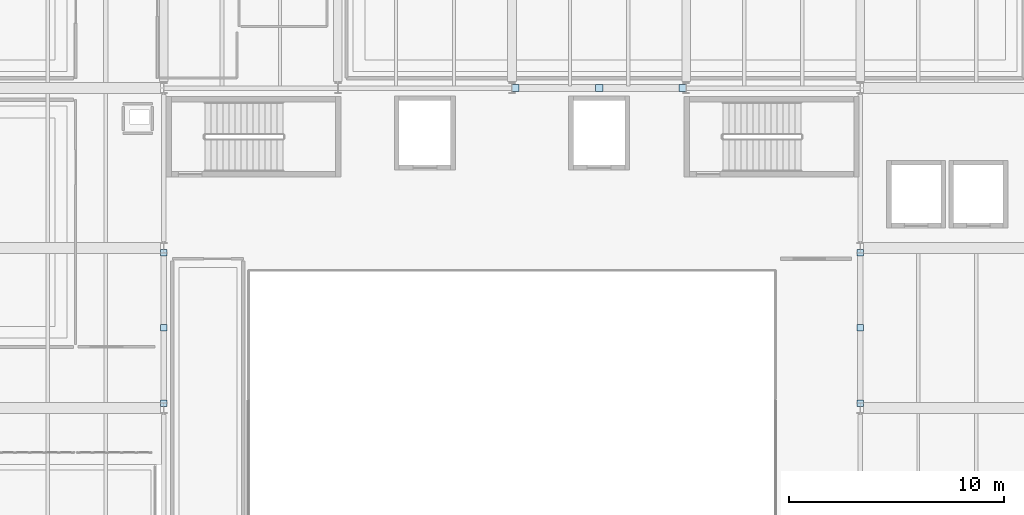
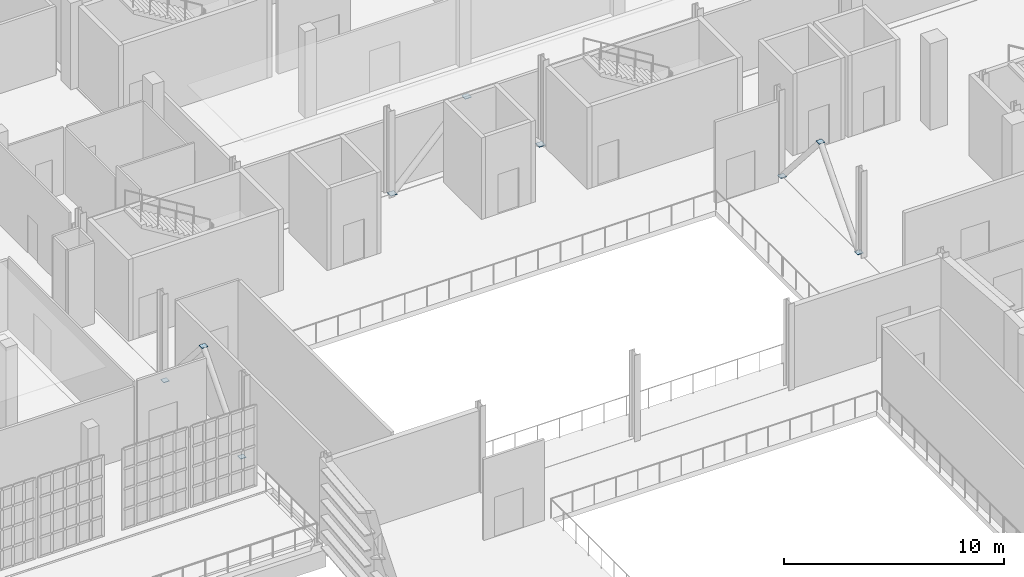
# One storey, part 81 of 104: 9 plates.
"""IFC4 building model written with IfcOpenShell, lengths in metres."""

from ifc_helpers import new_model, si_unit, direction, frame, origin, origin_2d, place, context, subcontext, project, spatial, rectangle, extrude, material, layer, layer_set, type_object, element, save


model = new_model("IFC4")

# Units and contexts
model_context = context("Model", 3, precision=1e-05, world=origin(), true_north=direction((0.0, 1.0)))
body_context = subcontext(model_context, "Body", "Model", "MODEL_VIEW")
ifc_project = project(units=[si_unit("LENGTHUNIT", "METRE"), si_unit("AREAUNIT", "SQUARE_METRE"), si_unit("VOLUMEUNIT", "CUBIC_METRE"), si_unit("PLANEANGLEUNIT", "RADIAN"), si_unit("MASSUNIT", "GRAM", prefix="KILO")], contexts=[model_context])

# Site, building, storey
site_placement = place(None, origin())
site = spatial("IfcSite", under=ifc_project, at=site_placement, CompositionType="ELEMENT")
building_placement = place(site_placement, origin())
building = spatial("IfcBuilding", under=site, at=building_placement, Name="Kaelora Sail Theatre", CompositionType="ELEMENT")
storey_placement = place(building_placement, frame((0.0, 0.0, 5.39990234375)))
storey = spatial("IfcBuildingStorey", under=building, at=storey_placement, Name="L01", CompositionType="ELEMENT", Elevation=5.39990234375)

# Plates
ifc_material = material(Name="Steel S355", Category="steel")
ifc_layer = layer(ifc_material, 0.02587890625)
ifc_layer_set = layer_set([ifc_layer], Name="Steel S355")
plate_type = type_object("IfcPlateType", Name="STR-PL-EP-26", PredefinedType="SHEET", material=ifc_layer_set)
for number, where, z_axis, x_axis, name in (
    (1, (25.800048828125, 68.682373046875, -0.001708984375), (0.0, 0.0, 1.0), (1.0, 0.0, 0.0), "Fly Tower chevron brace L01 WM1 end cap plate A"),
    (2, (25.800048828125, 72.187744140625, 4.02099609375), (0.0, 0.0, 1.0), (1.0, 0.0, 0.0), "Fly Tower chevron brace L01 WM1 end cap plate B"),
    (3, (25.800048828125, 75.677734375, -0.001708984375), (0.0, 0.0, 1.0), (1.0, 0.0, 0.0), "Fly Tower chevron brace L01 WM2 end cap plate A"),
    (4, (58.199951171875, 68.682373046875, -0.001708984375), (0.0, 0.0, 1.0), (1.0, 0.0, 0.0), "Fly Tower chevron brace L01 EM1 end cap plate A"),
    (5, (58.199951171875, 72.187744140625, 4.02099609375), (0.0, 0.0, 1.0), (1.0, 0.0, 0.0), "Fly Tower chevron brace L01 EM1 end cap plate B"),
    (6, (58.199951171875, 75.677734375, -0.001708984375), (0.0, 0.0, 1.0), (1.0, 0.0, 0.0), "Fly Tower chevron brace L01 EM2 end cap plate A"),
):
    element("IfcPlate", number, at=place(storey_placement, frame(where, z_axis=z_axis, x_axis=x_axis)), inside=storey, type_object=plate_type, Name=name, PredefinedType="SHEET", context=body_context, shape_type="SweptSolid", body=[
        extrude(rectangle(XDim=0.300048828125, YDim=0.300048828125, at=origin_2d()), origin(), (0.0, 0.0, 1.0), 0.02587890625),
    ])
for number, where, z_axis, x_axis, name in (
    (7, (42.15185546875, 83.340087890625, -0.001220703125), (0.0, 0.0, 1.0), (1.0, 0.0, 0.0), "Fly Tower north chevron brace L01 N3-1 end cap plate A"),
    (8, (46.05810546875, 83.340087890625, 4.0205078125), (0.0, 0.0, 1.0), (1.0, 0.0, 0.0), "Fly Tower north chevron brace L01 N3-1 end cap plate B"),
    (9, (49.9482421875, 83.340087890625, -0.001220703125), (0.0, 0.0, 1.0), (1.0, 0.0, 0.0), "Fly Tower north chevron brace L01 N3-2 end cap plate A"),
):
    element("IfcPlate", number, at=place(storey_placement, frame(where, z_axis=z_axis, x_axis=x_axis)), inside=storey, type_object=plate_type, Name=name, PredefinedType="SHEET", context=body_context, shape_type="SweptSolid", body=[
        extrude(rectangle(XDim=0.340087890625, YDim=0.340087890625, at=origin_2d()), origin(), (0.0, 0.0, 1.0), 0.02587890625),
    ])

save(model, "model.ifc")
